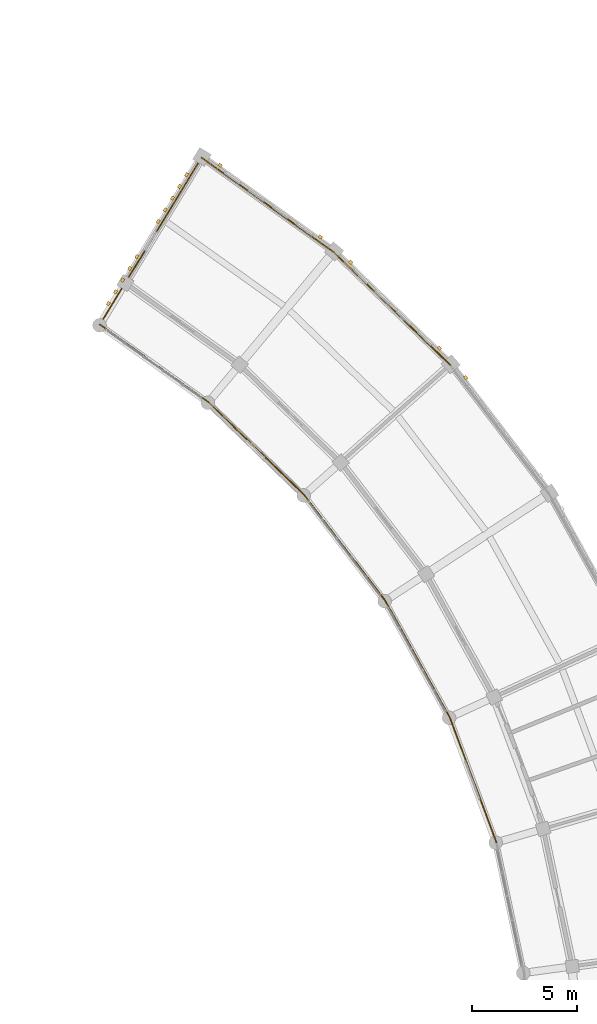
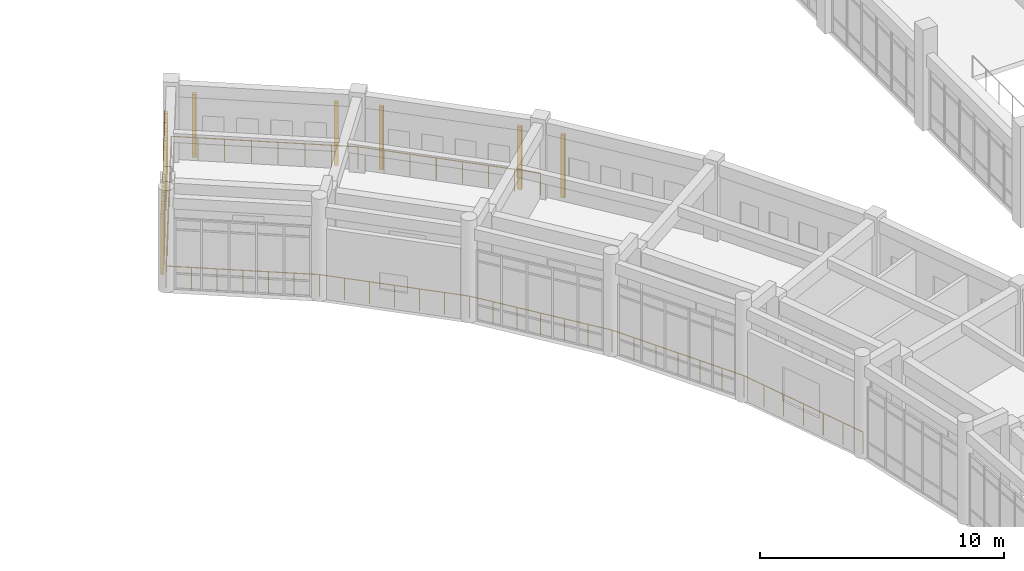
# One storey, part 152 of 159: 15 coverings, 8 railings.
"""IFC4 building model written with IfcOpenShell, lengths in metres."""

import ifcopenshell
import ifcopenshell.guid

model = None  # the IFC model being written
_history = None  # IfcOwnerHistory: only IFC2X3 demands one
_inside = {}  # id of a spatial element -> (the spatial element, [elements in it])
_under = {}  # id of a project, library or spatial element -> (it, [spatial elements below it])
_declared = {}  # id of a project -> (the project, [libraries it declares])
_typed = {}  # id of a type object -> (the type object, [elements of that type])
_made_of = {}  # id of a material, layer set ... -> (it, [elements and type objects made of it])


def new_model(schema):
    """Start an empty IFC model of exactly this schema.

    Asked for "IFC4X3", IfcOpenShell would pick the latest addendum, in which some entities
    have other attributes; the version numbers below select the first issue.
    IFC2X3 requires an IfcOwnerHistory on every rooted entity: one is made here for all.
    """
    global model, _history
    if schema == "IFC4X3":
        model = ifcopenshell.file(schema_version=(4, 3, 0, 0))
    else:
        model = ifcopenshell.file(schema=schema)
    _inside.clear()
    _under.clear()
    _declared.clear()
    _typed.clear()
    _made_of.clear()
    _history = None
    if model.schema == "IFC2X3":
        org = make("IfcOrganization", Name="unknown")
        user = make(
            "IfcPersonAndOrganization",
            ThePerson=make("IfcPerson", FamilyName="unknown"),
            TheOrganization=org,
        )
        app = make(
            "IfcApplication",
            ApplicationDeveloper=org,
            Version="unknown",
            ApplicationFullName="unknown",
            ApplicationIdentifier="unknown",
        )
        _history = make(
            "IfcOwnerHistory",
            OwningUser=user,
            OwningApplication=app,
            ChangeAction="ADDED",
            CreationDate=0,
        )
    return model


def make(cls, **values):
    """One entity of the class cls with the attributes given. An attribute that is None is left unset."""
    return model.create_entity(
        cls, **{name: value for name, value in values.items() if value is not None}
    )


def rooted(cls, **values):
    """An entity with a GlobalId (a new one), such as an element, a storey or a relation."""
    return make(cls, GlobalId=ifcopenshell.guid.new(), OwnerHistory=_history, **values)


def si_unit(unit_type, name, prefix=None):
    """IfcSIUnit, for example si_unit("LENGTHUNIT", "METRE", prefix="MILLI")."""
    return make("IfcSIUnit", UnitType=unit_type, Prefix=prefix, Name=name)


def assignment(units):
    """IfcUnitAssignment: the units of a project."""
    return None if units is None else make("IfcUnitAssignment", Units=units)


def point(xyz):
    """IfcCartesianPoint."""
    return None if xyz is None else make("IfcCartesianPoint", Coordinates=xyz)


def direction(xyz):
    """IfcDirection."""
    return None if xyz is None else make("IfcDirection", DirectionRatios=xyz)


def frame(location, z_axis=None, x_axis=None):
    """IfcAxis2Placement3D, a coordinate frame: its origin and axes. An axis left out is left unset."""
    return make(
        "IfcAxis2Placement3D",
        Location=point(location),
        Axis=direction(z_axis),
        RefDirection=direction(x_axis),
    )


def frame_2d(location, x_axis=None):
    """IfcAxis2Placement2D, a coordinate frame in the plane: its origin and x axis."""
    return make(
        "IfcAxis2Placement2D", Location=point(location), RefDirection=direction(x_axis)
    )


def origin():
    """The frame at (0, 0, 0) with its axes left unset."""
    return frame((0.0, 0.0, 0.0))


def origin_2d():
    """The frame at (0, 0) in the plane with its x axis left unset."""
    return frame_2d((0.0, 0.0))


def place(relative_to, where):
    """IfcLocalPlacement: puts the frame where relative to a parent placement (None: the world)."""
    return make(
        "IfcLocalPlacement", PlacementRelTo=relative_to, RelativePlacement=where
    )


def context(
    kind, dimensions, precision=None, world=None, true_north=None, identifier=None
):
    """IfcGeometricRepresentationContext, for example the 3D "Model" context."""
    return make(
        "IfcGeometricRepresentationContext",
        ContextIdentifier=identifier,
        ContextType=kind,
        CoordinateSpaceDimension=dimensions,
        Precision=precision,
        WorldCoordinateSystem=world,
        TrueNorth=true_north,
    )


def subcontext(parent, identifier, kind, view, scale=None):
    """IfcGeometricRepresentationSubContext, for example "Body" below "Model"."""
    return make(
        "IfcGeometricRepresentationSubContext",
        ContextIdentifier=identifier,
        ContextType=kind,
        ParentContext=parent,
        TargetScale=scale,
        TargetView=view,
    )


def project(units=None, contexts=None):
    """IfcProject with its units and contexts."""
    return rooted(
        "IfcProject",
        Name="project",
        RepresentationContexts=contexts,
        UnitsInContext=assignment(units),
    )


def spatial(cls, under=None, at=None, **own):
    """A site, building, storey or space (cls), placed at a placement, below another one or the project."""
    s = rooted(cls, ObjectPlacement=at, **own)
    if under is not None:
        _under.setdefault(under.id(), (under, []))[1].append(s)
    return s


def profile(cls, at=None, kind="AREA", **sizes):
    """A parametric profile (cls). Its sizes go by their IFC names, for example OverallWidth=200.0."""
    return make(cls, ProfileType=kind, Position=at, **sizes)


def rectangle(**sizes):
    """IfcRectangleProfileDef."""
    return profile("IfcRectangleProfileDef", **sizes)


def circle(**sizes):
    """IfcCircleProfileDef."""
    return profile("IfcCircleProfileDef", **sizes)


def extrude(swept, where, along, depth):
    """IfcExtrudedAreaSolid: the profile swept, set in the frame where, extruded along a direction by depth."""
    return make(
        "IfcExtrudedAreaSolid",
        SweptArea=swept,
        Position=where,
        ExtrudedDirection=direction(along),
        Depth=depth,
    )


def shape(context_of_items, identifier, shape_type, items):
    """IfcShapeRepresentation: the items that make up one representation, for example the "Body"."""
    return make(
        "IfcShapeRepresentation",
        ContextOfItems=context_of_items,
        RepresentationIdentifier=identifier,
        RepresentationType=shape_type,
        Items=items,
    )


def material(Name=None, Category=None):
    """IfcMaterial."""
    return make("IfcMaterial", Name=Name, Category=Category)


def layer(
    of_material, thickness, ventilated=None, Name=None, Category=None, Priority=None
):
    """IfcMaterialLayer: one layer of a wall or slab, of a material (None: an air gap)."""
    return make(
        "IfcMaterialLayer",
        Material=of_material,
        LayerThickness=thickness,
        IsVentilated=ventilated,
        Name=Name,
        Category=Category,
        Priority=Priority,
    )


def layer_set(layers, Name=None):
    """IfcMaterialLayerSet."""
    return make("IfcMaterialLayerSet", MaterialLayers=layers, LayerSetName=Name)


def made_of(thing, what):
    """Note that an element or type object is made of a material, layer set ...; save() writes the relation."""
    if what is not None:
        _made_of.setdefault(what.id(), (what, []))[1].append(thing)
    return thing


def type_object(cls, material=None, **own):
    """A type object (cls), such as IfcWallType, which elements share."""
    return made_of(rooted(cls, **own), material)


def element(
    cls,
    number,
    at=None,
    inside=None,
    cuts=None,
    type_object=None,
    material=None,
    context=None,
    identifier="Body",
    shape_type=None,
    held_by="IfcProductDefinitionShape",
    body=None,
    shapes=None,
    **own,
):
    """One element of the class cls, such as IfcWall. Its Tag is "e" and its number.

    at: its placement. inside: the storey or other place that contains it. cuts: it is an
    opening in that element (IfcRelVoidsElement). A single representation is given by context,
    identifier, shape_type and body (its items); several are given by shapes. held_by: the class
    of the entity that holds the representations. save() writes the other relations.
    """
    e = rooted(cls, Tag="e%d" % number, ObjectPlacement=at, **own)
    if body is not None:
        shapes = [shape(context, identifier, shape_type, body)]
    if shapes is not None:
        e.Representation = make(held_by, Representations=shapes)
    if inside is not None:
        _inside.setdefault(inside.id(), (inside, []))[1].append(e)
    if cuts is not None:
        rooted(
            "IfcRelVoidsElement", RelatingBuildingElement=cuts, RelatedOpeningElement=e
        )
    if type_object is not None:
        _typed.setdefault(type_object.id(), (type_object, []))[1].append(e)
    return made_of(e, material)


def aggregate(whole, parts):
    """IfcRelAggregates: a whole, such as a stair, and the parts it consists of."""
    return rooted("IfcRelAggregates", RelatingObject=whole, RelatedObjects=parts)


def save(model, path):
    """Write the relations noted so far, then the file.

    IfcRelAggregates (storeys below a building ...), IfcRelContainedInSpatialStructure (elements
    in a storey), IfcRelDefinesByType, IfcRelAssociatesMaterial and IfcRelDeclares: one each for
    every whole, place, type object, material and project.
    """
    for whole, parts in _under.values():
        aggregate(whole, parts)
    for where, things in _inside.values():
        rooted(
            "IfcRelContainedInSpatialStructure",
            RelatedElements=things,
            RelatingStructure=where,
        )
    for kind, things in _typed.values():
        rooted("IfcRelDefinesByType", RelatedObjects=things, RelatingType=kind)
    for what, things in _made_of.values():
        rooted("IfcRelAssociatesMaterial", RelatedObjects=things, RelatingMaterial=what)
    for by, libraries in _declared.values():
        rooted("IfcRelDeclares", RelatingContext=by, RelatedDefinitions=libraries)
    model.write(path)


model = new_model("IFC4")

# Units and contexts
model_context = context("Model", 3, precision=1e-05, world=origin(), true_north=direction((0.0, 1.0)))
body_context = subcontext(model_context, "Body", "Model", "MODEL_VIEW")
ifc_project = project(units=[si_unit("LENGTHUNIT", "METRE"), si_unit("AREAUNIT", "SQUARE_METRE"), si_unit("VOLUMEUNIT", "CUBIC_METRE"), si_unit("PLANEANGLEUNIT", "RADIAN"), si_unit("MASSUNIT", "GRAM", prefix="KILO")], contexts=[model_context])

# Site, building, storey
site_placement = place(None, origin())
site = spatial("IfcSite", under=ifc_project, at=site_placement, CompositionType="ELEMENT")
building_placement = place(site_placement, origin())
building = spatial("IfcBuilding", under=site, at=building_placement, Name="Celadon Cloister-Ring School", CompositionType="ELEMENT")
storey_placement = place(building_placement, frame((0.0, 0.0, 4.5)))
storey = spatial("IfcBuildingStorey", under=building, at=storey_placement, Name="L01", CompositionType="ELEMENT", Elevation=4.5)

# Coverings
ifc_material_1 = material(Name="Perforated terracotta clay brick masonry", Category="masonry")
ifc_layer = layer(ifc_material_1, 0.139892578125)
ifc_layer_set = layer_set([ifc_layer], Name="Perforated terracotta clay brick masonry")
covering_type = type_object("IfcCoveringType", Name="CV-SC1", PredefinedType="CLADDING", material=ifc_layer_set)
for number, where, z_axis, x_axis, name in (
    (1, (126.535888671875, 92.955078125, 0.0), (0.0, 0.0, 1.0), (0.608041153742, -0.793905507826, 0.0), "Brick Screen Rib 0207"),
    (2, (121.0849609375, 98.424072265625, 0.0), (0.0, 0.0, 1.0), (0.718672644851, -0.695348566938, 0.0), "Brick Screen Rib 0209"),
    (3, (125.2900390625, 94.35595703125, 0.0), (0.0, 0.0, 1.0), (0.718672644851, -0.695348566938, 0.0), "Brick Screen Rib 0210"),
    (4, (114.887939453125, 103.027099609375, 0.0), (0.0, 0.0, 1.0), (0.813374989743, -0.58173974083, 0.0), "Brick Screen Rib 0211"),
    (5, (119.64599609375, 99.6240234375, 0.0), (0.0, 0.0, 1.0), (0.813374989743, -0.58173974083, 0.0), "Brick Screen Rib 0212"),
):
    element("IfcCovering", number, at=place(storey_placement, frame(where, z_axis=z_axis, x_axis=x_axis)), inside=storey, type_object=covering_type, Name=name, PredefinedType="CLADDING", context=body_context, shape_type="SweptSolid", body=[
        extrude(rectangle(XDim=0.179931640625, YDim=0.139892578125, at=origin_2d()), origin(), (0.0, 0.0, 1.0), 3.152099609375),
    ])
for number, where, z_axis, x_axis, name in (
    (6, (109.591064453125, 96.467041015625, 0.0), (0.0, 0.0, 1.0), (0.51986207177, 0.854250212956, 0.0), "Brick Screen Rib 0223"),
    (7, (109.928955078125, 97.02197265625, 0.0), (0.0, 0.0, 1.0), (0.51986207177, 0.854250212956, 0.0), "Brick Screen Rib 0224"),
    (8, (110.26708984375, 97.576904296875, 0.0), (0.0, 0.0, 1.0), (0.51986207177, 0.854250212956, 0.0), "Brick Screen Rib 0225"),
    (9, (110.60498046875, 98.132080078125, 0.0), (0.0, 0.0, 1.0), (0.51986207177, 0.854250212956, 0.0), "Brick Screen Rib 0226"),
    (10, (110.94189453125, 98.68798828125, 0.0), (0.0, 0.0, 1.0), (0.51986207177, 0.854250212956, 0.0), "Brick Screen Rib 0227"),
    (11, (111.9560546875, 100.35302734375, 0.0), (0.0, 0.0, 1.0), (0.51986207177, 0.854250212956, 0.0), "Brick Screen Rib 0228"),
    (12, (112.2939453125, 100.908935546875, 0.0), (0.0, 0.0, 1.0), (0.51986207177, 0.854250212956, 0.0), "Brick Screen Rib 0229"),
    (13, (112.632080078125, 101.464111328125, 0.0), (0.0, 0.0, 1.0), (0.51986207177, 0.854250212956, 0.0), "Brick Screen Rib 0230"),
    (14, (112.969970703125, 102.01904296875, 0.0), (0.0, 0.0, 1.0), (0.51986207177, 0.854250212956, 0.0), "Brick Screen Rib 0231"),
    (15, (113.30810546875, 102.573974609375, 0.0), (0.0, 0.0, 1.0), (0.51986207177, 0.854250212956, 0.0), "Brick Screen Rib 0232"),
):
    element("IfcCovering", number, at=place(storey_placement, frame(where, z_axis=z_axis, x_axis=x_axis)), inside=storey, type_object=covering_type, Name=name, PredefinedType="CLADDING", context=body_context, shape_type="SweptSolid", body=[
        extrude(rectangle(XDim=0.179931640625, YDim=0.139892578125, at=origin_2d()), origin(), (0.0, 0.0, 1.0), 3.052001953125),
    ])

# Railings
ifc_material_2 = material(Name="Structural steel S355JR", Category="steel")
railing_type = type_object("IfcRailingType", Name="RL-BL1", PredefinedType="BALUSTRADE", material=ifc_material_2)
railing_1_placement = place(storey_placement, frame((125.802978515625, 93.556884765625, 0.0)))
element("IfcRailing", 16, at=railing_1_placement, inside=storey, type_object=railing_type, Name="Terrace Balustrade 0034", PredefinedType="BALUSTRADE", context=body_context, shape_type="SweptSolid", body=[
    extrude(circle(Radius=0.02392578125, at=origin_2d()), frame((0.0, 0.0, 1.09619140625), z_axis=(-0.718571468131, 0.695453122208, 0.0), x_axis=(-0.695453122208, -0.718571468131, 0.0)), (0.0, 0.0, 1.0), 7.698486328125),
    extrude(circle(Radius=0.02099609375, at=origin_2d()), origin(), (0.0, 0.0, 1.0), 1.072021484375),
    extrude(circle(Radius=0.02099609375, at=origin_2d()), frame((-0.790283203125, 0.764892578125, 0.0)), (0.0, 0.0, 1.0), 1.072021484375),
    extrude(circle(Radius=0.02099609375, at=origin_2d()), frame((-1.58056640625, 1.52978515625, 0.0)), (0.0, 0.0, 1.0), 1.072021484375),
    extrude(circle(Radius=0.02099609375, at=origin_2d()), frame((-2.370849609375, 2.294677734375, 0.0)), (0.0, 0.0, 1.0), 1.072021484375),
    extrude(circle(Radius=0.02099609375, at=origin_2d()), frame((-3.1611328125, 3.059326171875, 0.0)), (0.0, 0.0, 1.0), 1.072021484375),
    extrude(circle(Radius=0.02099609375, at=origin_2d()), frame((-3.951416015625, 3.82421875, 0.0)), (0.0, 0.0, 1.0), 1.072021484375),
    extrude(circle(Radius=0.02099609375, at=origin_2d()), frame((-4.74169921875, 4.589111328125, 0.0)), (0.0, 0.0, 1.0), 1.072021484375),
    extrude(circle(Radius=0.02099609375, at=origin_2d()), frame((-5.531982421875, 5.35400390625, 0.0)), (0.0, 0.0, 1.0), 1.072021484375),
])
railing_2_placement = place(storey_placement, frame((120.27099609375, 98.910888671875, 0.0)))
element("IfcRailing", 17, at=railing_2_placement, inside=storey, type_object=railing_type, Name="Terrace Balustrade 0035", PredefinedType="BALUSTRADE", context=body_context, shape_type="SweptSolid", body=[
    extrude(circle(Radius=0.02392578125, at=origin_2d()), frame((0.0, 0.0, 1.09619140625), z_axis=(-0.81343117442, 0.581661176702, 0.0), x_axis=(-0.581661176702, -0.81343117442, 0.0)), (0.0, 0.0, 1.0), 7.697021484375),
    extrude(circle(Radius=0.02099609375, at=origin_2d()), origin(), (0.0, 0.0, 1.0), 1.072021484375),
    extrude(circle(Radius=0.02099609375, at=origin_2d()), frame((-0.89453125, 0.6396484375, 0.0)), (0.0, 0.0, 1.0), 1.072021484375),
    extrude(circle(Radius=0.02099609375, at=origin_2d()), frame((-1.788818359375, 1.279052734375, 0.0)), (0.0, 0.0, 1.0), 1.072021484375),
    extrude(circle(Radius=0.02099609375, at=origin_2d()), frame((-2.683349609375, 1.918701171875, 0.0)), (0.0, 0.0, 1.0), 1.072021484375),
    extrude(circle(Radius=0.02099609375, at=origin_2d()), frame((-3.57763671875, 2.558349609375, 0.0)), (0.0, 0.0, 1.0), 1.072021484375),
    extrude(circle(Radius=0.02099609375, at=origin_2d()), frame((-4.47216796875, 3.197998046875, 0.0)), (0.0, 0.0, 1.0), 1.072021484375),
    extrude(circle(Radius=0.02099609375, at=origin_2d()), frame((-5.366455078125, 3.83740234375, 0.0)), (0.0, 0.0, 1.0), 1.072021484375),
    extrude(circle(Radius=0.02099609375, at=origin_2d()), frame((-6.260986328125, 4.47705078125, 0.0)), (0.0, 0.0, 1.0), 1.072021484375),
])
railing_3_placement = place(storey_placement, frame((127.9951171875, 70.909912109375, 0.0)))
element("IfcRailing", 18, at=railing_3_placement, inside=storey, type_object=railing_type, Name="Terrace Balustrade 0066", PredefinedType="BALUSTRADE", context=body_context, shape_type="SweptSolid", body=[
    extrude(circle(Radius=0.02392578125, at=origin_2d()), frame((0.0, 0.0, 1.09619140625), z_axis=(-0.349451948975, 0.936954286696, 0.0), x_axis=(-0.936954286696, -0.349451948975, 0.0)), (0.0, 0.0, 1.0), 6.32470703125),
    extrude(circle(Radius=0.02099609375, at=origin_2d()), origin(), (0.0, 0.0, 1.0), 1.072021484375),
    extrude(circle(Radius=0.02099609375, at=origin_2d()), frame((-0.368408203125, 0.98779296875, 0.0)), (0.0, 0.0, 1.0), 1.072021484375),
    extrude(circle(Radius=0.02099609375, at=origin_2d()), frame((-0.73681640625, 1.975341796875, 0.0)), (0.0, 0.0, 1.0), 1.072021484375),
    extrude(circle(Radius=0.02099609375, at=origin_2d()), frame((-1.10498046875, 2.962890625, 0.0)), (0.0, 0.0, 1.0), 1.072021484375),
    extrude(circle(Radius=0.02099609375, at=origin_2d()), frame((-1.473388671875, 3.95068359375, 0.0)), (0.0, 0.0, 1.0), 1.072021484375),
    extrude(circle(Radius=0.02099609375, at=origin_2d()), frame((-1.841796875, 4.9384765625, 0.0)), (0.0, 0.0, 1.0), 1.072021484375),
    extrude(circle(Radius=0.02099609375, at=origin_2d()), frame((-2.210205078125, 5.926025390625, 0.0)), (0.0, 0.0, 1.0), 1.072021484375),
])
railing_4_placement = place(storey_placement, frame((125.784912109375, 76.8359375, 0.0)))
element("IfcRailing", 19, at=railing_4_placement, inside=storey, type_object=railing_type, Name="Terrace Balustrade 0067", PredefinedType="BALUSTRADE", context=body_context, shape_type="SweptSolid", body=[
    extrude(circle(Radius=0.02392578125, at=origin_2d()), frame((0.0, 0.0, 1.09619140625), z_axis=(-0.483861994354, 0.875144314053, 0.0), x_axis=(-0.875144314053, -0.483861994354, 0.0)), (0.0, 0.0, 1.0), 6.32373046875),
    extrude(circle(Radius=0.02099609375, at=origin_2d()), origin(), (0.0, 0.0, 1.0), 1.072021484375),
    extrude(circle(Radius=0.02099609375, at=origin_2d()), frame((-0.510009765625, 0.92236328125, 0.0)), (0.0, 0.0, 1.0), 1.072021484375),
    extrude(circle(Radius=0.02099609375, at=origin_2d()), frame((-1.02001953125, 1.8447265625, 0.0)), (0.0, 0.0, 1.0), 1.072021484375),
    extrude(circle(Radius=0.02099609375, at=origin_2d()), frame((-1.52978515625, 2.76708984375, 0.0)), (0.0, 0.0, 1.0), 1.072021484375),
    extrude(circle(Radius=0.02099609375, at=origin_2d()), frame((-2.039794921875, 3.689453125, 0.0)), (0.0, 0.0, 1.0), 1.072021484375),
    extrude(circle(Radius=0.02099609375, at=origin_2d()), frame((-2.5498046875, 4.61181640625, 0.0)), (0.0, 0.0, 1.0), 1.072021484375),
    extrude(circle(Radius=0.02099609375, at=origin_2d()), frame((-3.059814453125, 5.5341796875, 0.0)), (0.0, 0.0, 1.0), 1.072021484375),
])
railing_5_placement = place(storey_placement, frame((122.72509765625, 82.3701171875, 0.0)))
element("IfcRailing", 20, at=railing_5_placement, inside=storey, type_object=railing_type, Name="Terrace Balustrade 0068", PredefinedType="BALUSTRADE", context=body_context, shape_type="SweptSolid", body=[
    extrude(circle(Radius=0.02392578125, at=origin_2d()), frame((0.0, 0.0, 1.09619140625), z_axis=(-0.607937118404, 0.793985176226, 0.0), x_axis=(-0.793985176226, -0.607937118404, 0.0)), (0.0, 0.0, 1.0), 6.324951171875),
    extrude(circle(Radius=0.02099609375, at=origin_2d()), origin(), (0.0, 0.0, 1.0), 1.072021484375),
    extrude(circle(Radius=0.02099609375, at=origin_2d()), frame((-0.640869140625, 0.8369140625, 0.0)), (0.0, 0.0, 1.0), 1.072021484375),
    extrude(circle(Radius=0.02099609375, at=origin_2d()), frame((-1.28173828125, 1.674072265625, 0.0)), (0.0, 0.0, 1.0), 1.072021484375),
    extrude(circle(Radius=0.02099609375, at=origin_2d()), frame((-1.922607421875, 2.510986328125, 0.0)), (0.0, 0.0, 1.0), 1.072021484375),
    extrude(circle(Radius=0.02099609375, at=origin_2d()), frame((-2.5634765625, 3.347900390625, 0.0)), (0.0, 0.0, 1.0), 1.072021484375),
    extrude(circle(Radius=0.02099609375, at=origin_2d()), frame((-3.204345703125, 4.18505859375, 0.0)), (0.0, 0.0, 1.0), 1.072021484375),
    extrude(circle(Radius=0.02099609375, at=origin_2d()), frame((-3.84521484375, 5.02197265625, 0.0)), (0.0, 0.0, 1.0), 1.072021484375),
])
railing_6_placement = place(storey_placement, frame((118.8798828125, 87.39208984375, 0.0)))
element("IfcRailing", 21, at=railing_6_placement, inside=storey, type_object=railing_type, Name="Terrace Balustrade 0069", PredefinedType="BALUSTRADE", context=body_context, shape_type="SweptSolid", body=[
    extrude(circle(Radius=0.02392578125, at=origin_2d()), frame((0.0, 0.0, 1.09619140625), z_axis=(-0.718630766596, 0.695391847307, 0.0), x_axis=(-0.695391847307, -0.718630766596, 0.0)), (0.0, 0.0, 1.0), 6.324462890625),
    extrude(circle(Radius=0.02099609375, at=origin_2d()), origin(), (0.0, 0.0, 1.0), 1.072021484375),
    extrude(circle(Radius=0.02099609375, at=origin_2d()), frame((-0.757568359375, 0.73291015625, 0.0)), (0.0, 0.0, 1.0), 1.072021484375),
    extrude(circle(Radius=0.02099609375, at=origin_2d()), frame((-1.514892578125, 1.466064453125, 0.0)), (0.0, 0.0, 1.0), 1.072021484375),
    extrude(circle(Radius=0.02099609375, at=origin_2d()), frame((-2.2724609375, 2.198974609375, 0.0)), (0.0, 0.0, 1.0), 1.072021484375),
    extrude(circle(Radius=0.02099609375, at=origin_2d()), frame((-3.030029296875, 2.931884765625, 0.0)), (0.0, 0.0, 1.0), 1.072021484375),
    extrude(circle(Radius=0.02099609375, at=origin_2d()), frame((-3.787353515625, 3.6650390625, 0.0)), (0.0, 0.0, 1.0), 1.072021484375),
    extrude(circle(Radius=0.02099609375, at=origin_2d()), frame((-4.544921875, 4.39794921875, 0.0)), (0.0, 0.0, 1.0), 1.072021484375),
])
railing_7_placement = place(storey_placement, frame((114.3349609375, 91.7900390625, 0.0)))
element("IfcRailing", 22, at=railing_7_placement, inside=storey, type_object=railing_type, Name="Terrace Balustrade 0070", PredefinedType="BALUSTRADE", context=body_context, shape_type="SweptSolid", body=[
    extrude(circle(Radius=0.02392578125, at=origin_2d()), frame((0.0, 0.0, 1.09619140625), z_axis=(-0.813386411886, 0.581723770323, 0.0), x_axis=(-0.581723770323, -0.813386411886, 0.0)), (0.0, 0.0, 1.0), 6.32421875),
    extrude(circle(Radius=0.02099609375, at=origin_2d()), origin(), (0.0, 0.0, 1.0), 1.072021484375),
    extrude(circle(Radius=0.02099609375, at=origin_2d()), frame((-0.857421875, 0.61328125, 0.0)), (0.0, 0.0, 1.0), 1.072021484375),
    extrude(circle(Radius=0.02099609375, at=origin_2d()), frame((-1.714599609375, 1.226318359375, 0.0)), (0.0, 0.0, 1.0), 1.072021484375),
    extrude(circle(Radius=0.02099609375, at=origin_2d()), frame((-2.572021484375, 1.83935546875, 0.0)), (0.0, 0.0, 1.0), 1.072021484375),
    extrude(circle(Radius=0.02099609375, at=origin_2d()), frame((-3.429443359375, 2.45263671875, 0.0)), (0.0, 0.0, 1.0), 1.072021484375),
    extrude(circle(Radius=0.02099609375, at=origin_2d()), frame((-4.28662109375, 3.06591796875, 0.0)), (0.0, 0.0, 1.0), 1.072021484375),
    extrude(circle(Radius=0.02099609375, at=origin_2d()), frame((-5.14404296875, 3.678955078125, 0.0)), (0.0, 0.0, 1.0), 1.072021484375),
])
railing_8_placement = place(storey_placement, frame((109.19091796875, 95.468994140625, 0.0)))
element("IfcRailing", 23, at=railing_8_placement, inside=storey, type_object=railing_type, Name="Terrace Balustrade 0072", PredefinedType="BALUSTRADE", context=body_context, shape_type="SweptSolid", body=[
    extrude(circle(Radius=0.02392578125, at=origin_2d()), frame((0.0, 0.0, 1.09619140625), z_axis=(0.519857545017, 0.854252967738, 0.0), x_axis=(-0.854252967738, 0.519857545017, 0.0)), (0.0, 0.0, 1.0), 9.27001953125),
    extrude(circle(Radius=0.02099609375, at=origin_2d()), origin(), (0.0, 0.0, 1.0), 1.072021484375),
    extrude(circle(Radius=0.02099609375, at=origin_2d()), frame((0.602294921875, 0.98974609375, 0.0)), (0.0, 0.0, 1.0), 1.072021484375),
    extrude(circle(Radius=0.02099609375, at=origin_2d()), frame((1.204833984375, 1.979736328125, 0.0)), (0.0, 0.0, 1.0), 1.072021484375),
    extrude(circle(Radius=0.02099609375, at=origin_2d()), frame((1.80712890625, 2.9697265625, 0.0)), (0.0, 0.0, 1.0), 1.072021484375),
    extrude(circle(Radius=0.02099609375, at=origin_2d()), frame((2.40966796875, 3.95947265625, 0.0)), (0.0, 0.0, 1.0), 1.072021484375),
    extrude(circle(Radius=0.02099609375, at=origin_2d()), frame((3.011962890625, 4.94921875, 0.0)), (0.0, 0.0, 1.0), 1.072021484375),
    extrude(circle(Radius=0.02099609375, at=origin_2d()), frame((3.6142578125, 5.939208984375, 0.0)), (0.0, 0.0, 1.0), 1.072021484375),
    extrude(circle(Radius=0.02099609375, at=origin_2d()), frame((4.216796875, 6.92919921875, 0.0)), (0.0, 0.0, 1.0), 1.072021484375),
    extrude(circle(Radius=0.02099609375, at=origin_2d()), frame((4.819091796875, 7.9189453125, 0.0)), (0.0, 0.0, 1.0), 1.072021484375),
])

save(model, "model.ifc")
